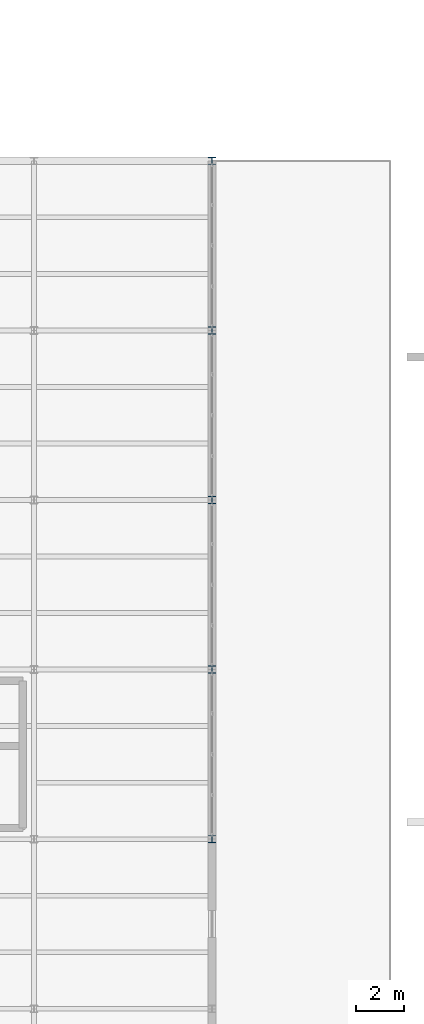
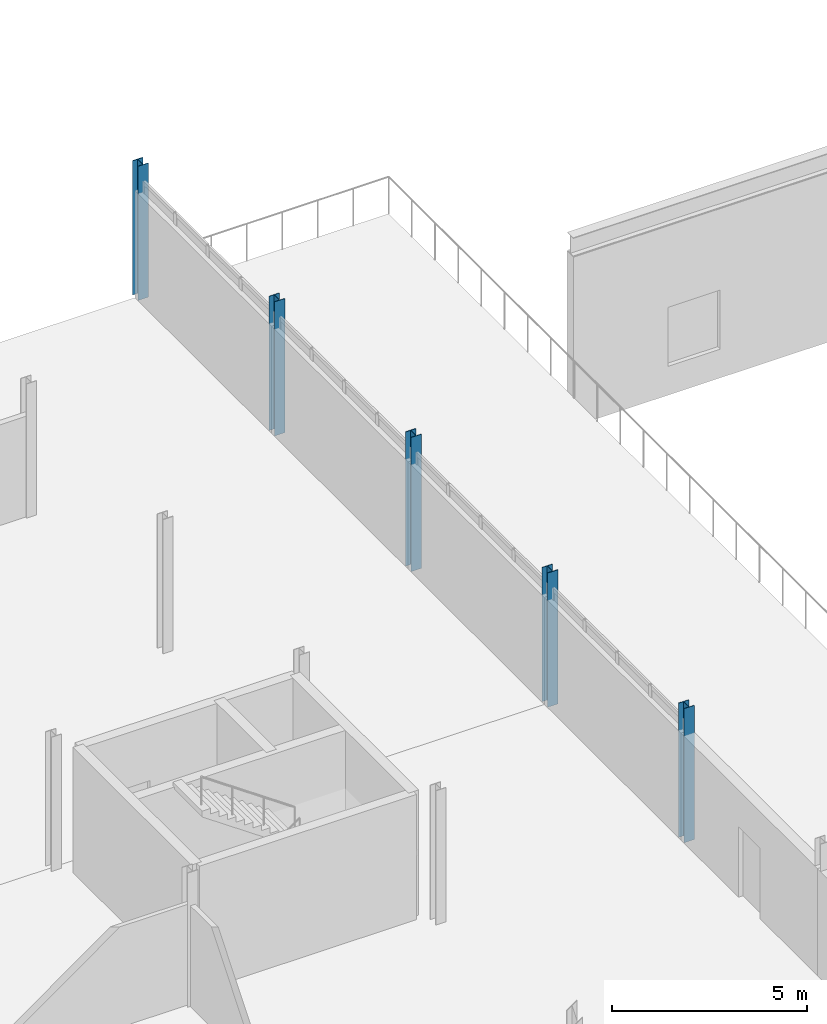
# One storey, part 7 of 39: 5 columns.
"""IFC4 building model written with IfcOpenShell, lengths in metres."""

from ifc_helpers import new_model, si_unit, direction, frame, origin, origin_2d, place, context, subcontext, project, spatial, i_section, extrude, material, material_profile, profile_set, type_object, element, save


model = new_model("IFC4")

# Units and contexts
model_context = context("Model", 3, precision=1e-05, world=origin(), true_north=direction((0.0, 1.0)))
body_context = subcontext(model_context, "Body", "Model", "MODEL_VIEW")
ifc_project = project(units=[si_unit("LENGTHUNIT", "METRE"), si_unit("AREAUNIT", "SQUARE_METRE"), si_unit("VOLUMEUNIT", "CUBIC_METRE"), si_unit("PLANEANGLEUNIT", "RADIAN"), si_unit("MASSUNIT", "GRAM", prefix="KILO")], contexts=[model_context])

# Site, building, storey
site_placement = place(None, origin())
site = spatial("IfcSite", under=ifc_project, at=site_placement, CompositionType="ELEMENT")
building_placement = place(site_placement, origin())
building = spatial("IfcBuilding", under=site, at=building_placement, Name="Kazenagashi Tramway Depot", CompositionType="ELEMENT")
storey_placement = place(building_placement, frame((0.0, 0.0, 11.1)))
storey = spatial("IfcBuildingStorey", under=building, at=storey_placement, Name="L03", CompositionType="ELEMENT", Elevation=11.1)

# Columns
ifc_material = material(Name="Steel SN490B", Category="steel")
ifc_material_profile = material_profile(ifc_material, i_section(OverallWidth=0.3, OverallDepth=0.3, WebThickness=0.01, FlangeThickness=0.015, at=origin_2d()), Name="H-300x300x10x15")
ifc_profile_set = profile_set([ifc_material_profile], Name="Steel SN490B")
column_type = type_object("IfcColumnType", Name="C-05", PredefinedType="COLUMN", material=ifc_profile_set)
for number, where, z_axis, x_axis, name in (
    (1, (36.75, 35.0, 0.0), (0.0, 0.0, 1.0), (1.0, 0.0, 0.0), "Column C-05 COL-0770"),
    (2, (36.75, 42.0, 0.0), (0.0, 0.0, 1.0), (1.0, 0.0, 0.0), "Column C-05 COL-0774"),
    (3, (36.75, 49.0, 0.0), (0.0, 0.0, 1.0), (1.0, 0.0, 0.0), "Column C-05 COL-0778"),
    (4, (36.75, 56.0, 0.0), (0.0, 0.0, 1.0), (1.0, 0.0, 0.0), "Column C-05 COL-0782"),
    (5, (36.75, 63.0, 0.0), (0.0, 0.0, 1.0), (1.0, 0.0, 0.0), "Column C-05 COL-0785"),
):
    element("IfcColumn", number, at=place(storey_placement, frame(where, z_axis=z_axis, x_axis=x_axis)), inside=storey, type_object=column_type, Name=name, PredefinedType="COLUMN", context=body_context, shape_type="SweptSolid", body=[
        extrude(i_section(OverallWidth=0.3, OverallDepth=0.3, WebThickness=0.01, FlangeThickness=0.015, at=origin_2d()), origin(), (0.0, 0.0, 1.0), 4.2),
    ])

save(model, "model.ifc")
